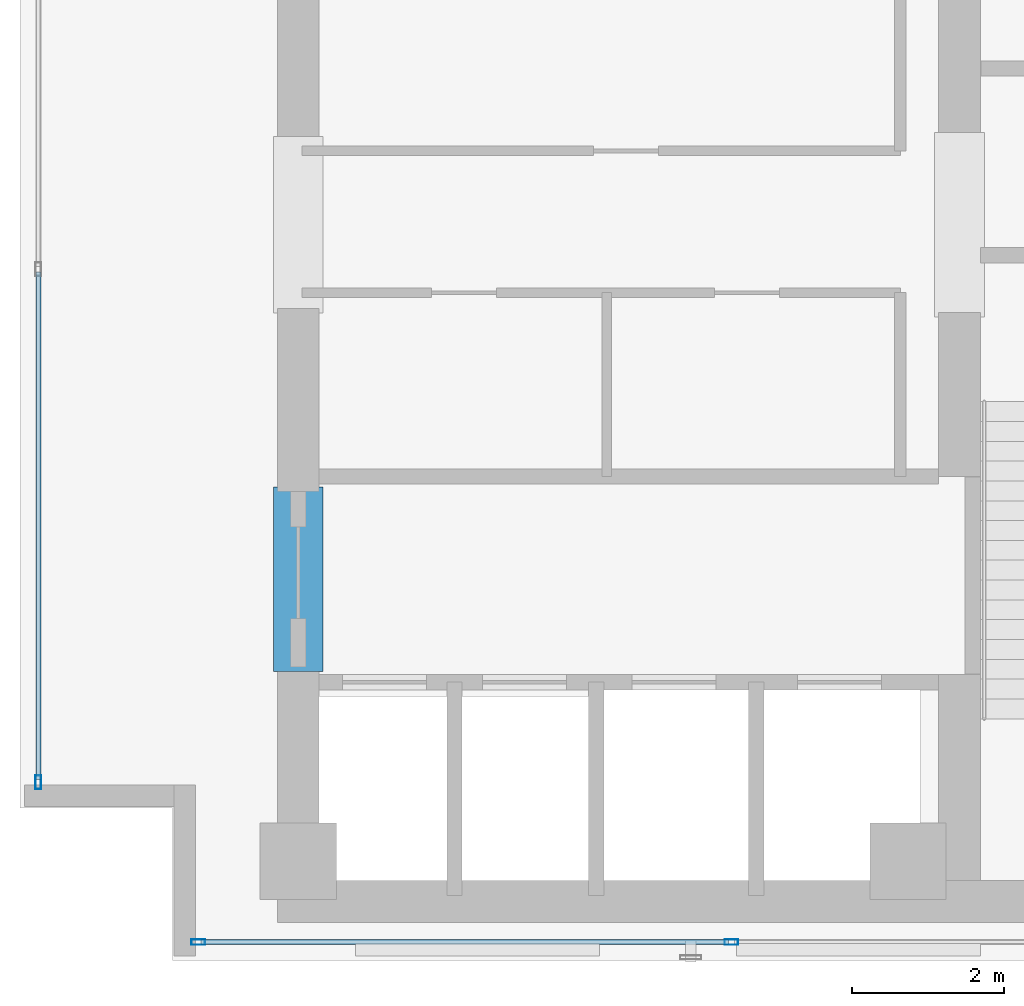
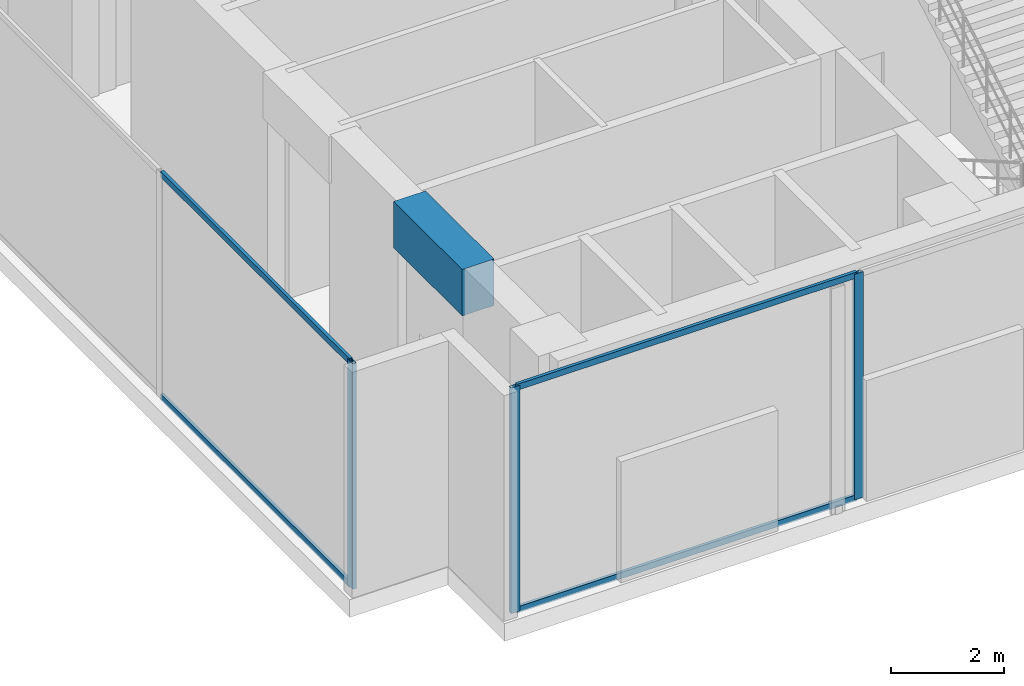
# One storey, part 2 of 31: 7 members, 1 beam, 2 elements without a shape of their own.
"""IFC4 building model written with IfcOpenShell, lengths in metres."""

import ifcopenshell
import ifcopenshell.guid

model = None  # the IFC model being written
_history = None  # IfcOwnerHistory: only IFC2X3 demands one
_inside = {}  # id of a spatial element -> (the spatial element, [elements in it])
_under = {}  # id of a project, library or spatial element -> (it, [spatial elements below it])
_declared = {}  # id of a project -> (the project, [libraries it declares])
_typed = {}  # id of a type object -> (the type object, [elements of that type])
_made_of = {}  # id of a material, layer set ... -> (it, [elements and type objects made of it])


def new_model(schema):
    """Start an empty IFC model of exactly this schema.

    Asked for "IFC4X3", IfcOpenShell would pick the latest addendum, in which some entities
    have other attributes; the version numbers below select the first issue.
    IFC2X3 requires an IfcOwnerHistory on every rooted entity: one is made here for all.
    """
    global model, _history
    if schema == "IFC4X3":
        model = ifcopenshell.file(schema_version=(4, 3, 0, 0))
    else:
        model = ifcopenshell.file(schema=schema)
    _inside.clear()
    _under.clear()
    _declared.clear()
    _typed.clear()
    _made_of.clear()
    _history = None
    if model.schema == "IFC2X3":
        org = make("IfcOrganization", Name="unknown")
        user = make(
            "IfcPersonAndOrganization",
            ThePerson=make("IfcPerson", FamilyName="unknown"),
            TheOrganization=org,
        )
        app = make(
            "IfcApplication",
            ApplicationDeveloper=org,
            Version="unknown",
            ApplicationFullName="unknown",
            ApplicationIdentifier="unknown",
        )
        _history = make(
            "IfcOwnerHistory",
            OwningUser=user,
            OwningApplication=app,
            ChangeAction="ADDED",
            CreationDate=0,
        )
    return model


def make(cls, **values):
    """One entity of the class cls with the attributes given. An attribute that is None is left unset."""
    return model.create_entity(
        cls, **{name: value for name, value in values.items() if value is not None}
    )


def rooted(cls, **values):
    """An entity with a GlobalId (a new one), such as an element, a storey or a relation."""
    return make(cls, GlobalId=ifcopenshell.guid.new(), OwnerHistory=_history, **values)


def si_unit(unit_type, name, prefix=None):
    """IfcSIUnit, for example si_unit("LENGTHUNIT", "METRE", prefix="MILLI")."""
    return make("IfcSIUnit", UnitType=unit_type, Prefix=prefix, Name=name)


def assignment(units):
    """IfcUnitAssignment: the units of a project."""
    return None if units is None else make("IfcUnitAssignment", Units=units)


def point(xyz):
    """IfcCartesianPoint."""
    return None if xyz is None else make("IfcCartesianPoint", Coordinates=xyz)


def direction(xyz):
    """IfcDirection."""
    return None if xyz is None else make("IfcDirection", DirectionRatios=xyz)


def frame(location, z_axis=None, x_axis=None):
    """IfcAxis2Placement3D, a coordinate frame: its origin and axes. An axis left out is left unset."""
    return make(
        "IfcAxis2Placement3D",
        Location=point(location),
        Axis=direction(z_axis),
        RefDirection=direction(x_axis),
    )


def frame_2d(location, x_axis=None):
    """IfcAxis2Placement2D, a coordinate frame in the plane: its origin and x axis."""
    return make(
        "IfcAxis2Placement2D", Location=point(location), RefDirection=direction(x_axis)
    )


def origin():
    """The frame at (0, 0, 0) with its axes left unset."""
    return frame((0.0, 0.0, 0.0))


def origin_with_axes():
    """The frame at (0, 0, 0) with the z axis (0, 0, 1) and the x axis (1, 0, 0) written out."""
    return frame((0.0, 0.0, 0.0), z_axis=(0.0, 0.0, 1.0), x_axis=(1.0, 0.0, 0.0))


def origin_2d():
    """The frame at (0, 0) in the plane with its x axis left unset."""
    return frame_2d((0.0, 0.0))


def place(relative_to, where):
    """IfcLocalPlacement: puts the frame where relative to a parent placement (None: the world)."""
    return make(
        "IfcLocalPlacement", PlacementRelTo=relative_to, RelativePlacement=where
    )


def context(
    kind, dimensions, precision=None, world=None, true_north=None, identifier=None
):
    """IfcGeometricRepresentationContext, for example the 3D "Model" context."""
    return make(
        "IfcGeometricRepresentationContext",
        ContextIdentifier=identifier,
        ContextType=kind,
        CoordinateSpaceDimension=dimensions,
        Precision=precision,
        WorldCoordinateSystem=world,
        TrueNorth=true_north,
    )


def subcontext(parent, identifier, kind, view, scale=None):
    """IfcGeometricRepresentationSubContext, for example "Body" below "Model"."""
    return make(
        "IfcGeometricRepresentationSubContext",
        ContextIdentifier=identifier,
        ContextType=kind,
        ParentContext=parent,
        TargetScale=scale,
        TargetView=view,
    )


def project(units=None, contexts=None):
    """IfcProject with its units and contexts."""
    return rooted(
        "IfcProject",
        Name="project",
        RepresentationContexts=contexts,
        UnitsInContext=assignment(units),
    )


def spatial(cls, under=None, at=None, **own):
    """A site, building, storey or space (cls), placed at a placement, below another one or the project."""
    s = rooted(cls, ObjectPlacement=at, **own)
    if under is not None:
        _under.setdefault(under.id(), (under, []))[1].append(s)
    return s


def profile(cls, at=None, kind="AREA", **sizes):
    """A parametric profile (cls). Its sizes go by their IFC names, for example OverallWidth=200.0."""
    return make(cls, ProfileType=kind, Position=at, **sizes)


def rectangle(**sizes):
    """IfcRectangleProfileDef."""
    return profile("IfcRectangleProfileDef", **sizes)


def hollow_rectangle(**sizes):
    """IfcRectangleHollowProfileDef."""
    return profile("IfcRectangleHollowProfileDef", **sizes)


def extrude(swept, where, along, depth):
    """IfcExtrudedAreaSolid: the profile swept, set in the frame where, extruded along a direction by depth."""
    return make(
        "IfcExtrudedAreaSolid",
        SweptArea=swept,
        Position=where,
        ExtrudedDirection=direction(along),
        Depth=depth,
    )


def shape(context_of_items, identifier, shape_type, items):
    """IfcShapeRepresentation: the items that make up one representation, for example the "Body"."""
    return make(
        "IfcShapeRepresentation",
        ContextOfItems=context_of_items,
        RepresentationIdentifier=identifier,
        RepresentationType=shape_type,
        Items=items,
    )


def source(mapping_origin, context_of_items, identifier, shape_type, items):
    """IfcRepresentationMap: a shape defined once, which mapped items show again and again."""
    return make(
        "IfcRepresentationMap",
        MappingOrigin=mapping_origin,
        MappedRepresentation=shape(context_of_items, identifier, shape_type, items),
    )


def transform(
    local_origin,
    x_axis=None,
    y_axis=None,
    z_axis=None,
    scale=None,
    scale2=None,
    scale3=None,
    uniform=True,
):
    """IfcCartesianTransformationOperator3D, or its non-uniform kind. x_axis, y_axis, z_axis: its Axis1, 2, 3."""
    if uniform:
        return make(
            "IfcCartesianTransformationOperator3D",
            Axis1=direction(x_axis),
            Axis2=direction(y_axis),
            LocalOrigin=point(local_origin),
            Scale=scale,
            Axis3=direction(z_axis),
        )
    return make(
        "IfcCartesianTransformationOperator3DnonUniform",
        Axis1=direction(x_axis),
        Axis2=direction(y_axis),
        LocalOrigin=point(local_origin),
        Scale=scale,
        Axis3=direction(z_axis),
        Scale2=scale2,
        Scale3=scale3,
    )


def mapped(mapping_source, mapping_target):
    """IfcMappedItem: shows the shape of a source again, moved by a transform."""
    return make(
        "IfcMappedItem", MappingSource=mapping_source, MappingTarget=mapping_target
    )


def material(Name=None, Category=None):
    """IfcMaterial."""
    return make("IfcMaterial", Name=Name, Category=Category)


def layer(
    of_material, thickness, ventilated=None, Name=None, Category=None, Priority=None
):
    """IfcMaterialLayer: one layer of a wall or slab, of a material (None: an air gap)."""
    return make(
        "IfcMaterialLayer",
        Material=of_material,
        LayerThickness=thickness,
        IsVentilated=ventilated,
        Name=Name,
        Category=Category,
        Priority=Priority,
    )


def layer_set(layers, Name=None):
    """IfcMaterialLayerSet."""
    return make("IfcMaterialLayerSet", MaterialLayers=layers, LayerSetName=Name)


def material_profile(
    of_material, cross_section, Name=None, Category=None, Priority=None
):
    """IfcMaterialProfile: a cross section and its material."""
    return make(
        "IfcMaterialProfile",
        Name=Name,
        Material=of_material,
        Profile=cross_section,
        Priority=Priority,
        Category=Category,
    )


def profile_set(profiles, Name=None, composite=None):
    """IfcMaterialProfileSet."""
    return make(
        "IfcMaterialProfileSet",
        Name=Name,
        MaterialProfiles=profiles,
        CompositeProfile=composite,
    )


def made_of(thing, what):
    """Note that an element or type object is made of a material, layer set ...; save() writes the relation."""
    if what is not None:
        _made_of.setdefault(what.id(), (what, []))[1].append(thing)
    return thing


def type_object(cls, material=None, **own):
    """A type object (cls), such as IfcWallType, which elements share."""
    return made_of(rooted(cls, **own), material)


def element(
    cls,
    number,
    at=None,
    inside=None,
    cuts=None,
    type_object=None,
    material=None,
    context=None,
    identifier="Body",
    shape_type=None,
    held_by="IfcProductDefinitionShape",
    body=None,
    shapes=None,
    **own,
):
    """One element of the class cls, such as IfcWall. Its Tag is "e" and its number.

    at: its placement. inside: the storey or other place that contains it. cuts: it is an
    opening in that element (IfcRelVoidsElement). A single representation is given by context,
    identifier, shape_type and body (its items); several are given by shapes. held_by: the class
    of the entity that holds the representations. save() writes the other relations.
    """
    e = rooted(cls, Tag="e%d" % number, ObjectPlacement=at, **own)
    if body is not None:
        shapes = [shape(context, identifier, shape_type, body)]
    if shapes is not None:
        e.Representation = make(held_by, Representations=shapes)
    if inside is not None:
        _inside.setdefault(inside.id(), (inside, []))[1].append(e)
    if cuts is not None:
        rooted(
            "IfcRelVoidsElement", RelatingBuildingElement=cuts, RelatedOpeningElement=e
        )
    if type_object is not None:
        _typed.setdefault(type_object.id(), (type_object, []))[1].append(e)
    return made_of(e, material)


def aggregate(whole, parts):
    """IfcRelAggregates: a whole, such as a stair, and the parts it consists of."""
    return rooted("IfcRelAggregates", RelatingObject=whole, RelatedObjects=parts)


def save(model, path):
    """Write the relations noted so far, then the file.

    IfcRelAggregates (storeys below a building ...), IfcRelContainedInSpatialStructure (elements
    in a storey), IfcRelDefinesByType, IfcRelAssociatesMaterial and IfcRelDeclares: one each for
    every whole, place, type object, material and project.
    """
    for whole, parts in _under.values():
        aggregate(whole, parts)
    for where, things in _inside.values():
        rooted(
            "IfcRelContainedInSpatialStructure",
            RelatedElements=things,
            RelatingStructure=where,
        )
    for kind, things in _typed.values():
        rooted("IfcRelDefinesByType", RelatedObjects=things, RelatingType=kind)
    for what, things in _made_of.values():
        rooted("IfcRelAssociatesMaterial", RelatedObjects=things, RelatingMaterial=what)
    for by, libraries in _declared.values():
        rooted("IfcRelDeclares", RelatingContext=by, RelatedDefinitions=libraries)
    model.write(path)


model = new_model("IFC4")

# Units and contexts
model_context = context("Model", 3, precision=1e-05, world=origin(), true_north=direction((0.0, 1.0)))
body_context = subcontext(model_context, "Body", "Model", "MODEL_VIEW")
ifc_project = project(units=[si_unit("LENGTHUNIT", "METRE"), si_unit("AREAUNIT", "SQUARE_METRE"), si_unit("VOLUMEUNIT", "CUBIC_METRE"), si_unit("PLANEANGLEUNIT", "RADIAN"), si_unit("MASSUNIT", "GRAM", prefix="KILO")], contexts=[model_context])

# Site, building, storey
site_placement = place(None, origin())
site = spatial("IfcSite", under=ifc_project, at=site_placement, CompositionType="ELEMENT")
building_placement = place(site_placement, origin())
building = spatial("IfcBuilding", under=site, at=building_placement, Name="Kolvaren Waterfront Exchange", CompositionType="ELEMENT")
storey_placement = place(building_placement, frame((0.0, 0.0, 257.699951171875)))
storey = spatial("IfcBuildingStorey", under=building, at=storey_placement, Name="L66", CompositionType="ELEMENT", Elevation=257.699951171875)

# Beam
ifc_material_1 = material(Name="Concrete C60/75", Category="concrete")
ifc_material_profile_1 = material_profile(ifc_material_1, rectangle(XDim=0.64990234375, YDim=1.0, at=origin_2d()), Name="RC-CB-1000x650")
ifc_profile_set_1 = profile_set([ifc_material_profile_1], Name="Concrete C60/75")
beam_type = type_object("IfcBeamType", Name="STR-CB-1000", PredefinedType="SPANDREL", material=ifc_profile_set_1)
beam_placement = place(storey_placement, frame((7.449951171875, 7.389892578125, 4.360107421875), z_axis=(0.0, 1.0, 0.0), x_axis=(-1.0, 0.0, 0.0)))
element("IfcBeam", 1, at=beam_placement, inside=storey, type_object=beam_type, Name="L66 core coupling beam 3", PredefinedType="SPANDREL", context=body_context, shape_type="SweptSolid", body=[
    extrude(rectangle(XDim=0.64990234375, YDim=1.0, at=origin_2d()), origin(), (0.0, 0.0, 1.0), 2.420166015625),
])

# Curtain wall, members
ifc_material_2 = material(Name="Anodised dark bronze spandrel aluminium", Category="aluminium")
ifc_layer = layer(ifc_material_2, 0.219970703125, Name="Anodised dark bronze spandrel aluminium")
ifc_layer_set = layer_set([ifc_layer], Name="Anodised dark bronze spandrel aluminium")
curtain_wall_type = type_object("IfcCurtainWallType", Name="ARC-CW-SYS6", PredefinedType="USERDEFINED", material=ifc_layer_set)
curtain_wall_1_placement = place(storey_placement, origin())
curtain_wall_1 = element("IfcCurtainWall", 2, at=curtain_wall_1_placement, inside=storey, type_object=curtain_wall_type, Name="L66 stick curtain wall CW6 (CW-L66-S)", ObjectType="STICK CURTAIN WALL", PredefinedType="USERDEFINED")
ifc_material_3 = material(Name="Anodised bronze aluminium 6063-T6", Category="aluminium")
ifc_material_profile_2 = material_profile(ifc_material_3, hollow_rectangle(XDim=0.074951171875, YDim=0.179931640625, WallThickness=0.00439453125, at=origin_2d()), Name="ALU-MUL-180x75x4.5")
ifc_profile_set_2 = profile_set([ifc_material_profile_2], Name="Anodised bronze aluminium 6063-T6")
member_type_1 = type_object("IfcMemberType", Name="ARC-CWM-180", PredefinedType="MULLION", material=ifc_profile_set_2)
shared_shape_1 = source(origin_with_axes(), body_context, "Body", "SweptSolid", [
    extrude(hollow_rectangle(XDim=0.074951171875, YDim=0.179931640625, WallThickness=0.00439453125, at=origin_2d()), origin(), (0.0, 0.0, 1.0), 4.860107421875),
])
member_1_placement = place(storey_placement, frame((6.137451171875, 3.840087890625, 0.0), z_axis=(0.0, 0.0, 1.0), x_axis=(0.0, 1.0, 0.0)))
member_1 = element("IfcMember", 3, at=member_1_placement, type_object=member_type_1, Name="CW6 mullion 1", PredefinedType="MULLION", context=body_context, shape_type="MappedRepresentation", body=[
    mapped(shared_shape_1, transform((0.0, 0.0, 0.0), x_axis=(1.0, 0.0, 0.0), y_axis=(0.0, 1.0, 0.0), z_axis=(0.0, 0.0, 1.0), scale=1.0)),
])
member_2_placement = place(storey_placement, frame((13.13330078125, 3.840087890625, 0.0), z_axis=(0.0, 0.0, 1.0), x_axis=(0.0, 1.0, 0.0)))
member_2 = element("IfcMember", 4, at=member_2_placement, type_object=member_type_1, Name="CW6 mullion 2", PredefinedType="MULLION", context=body_context, shape_type="MappedRepresentation", body=[
    mapped(shared_shape_1, transform((0.0, 0.0, 0.0), x_axis=(1.0, 0.0, 0.0), y_axis=(0.0, 1.0, 0.0), z_axis=(0.0, 0.0, 1.0), scale=1.0)),
])

curtain_wall_2_placement = place(storey_placement, origin())
curtain_wall_2 = element("IfcCurtainWall", 5, at=curtain_wall_2_placement, inside=storey, type_object=curtain_wall_type, Name="L66 stick curtain wall CW6 (CW-L66-W)", ObjectType="STICK CURTAIN WALL", PredefinedType="USERDEFINED")
member_3_placement = place(storey_placement, frame((4.0400390625, 5.9375, 0.0), z_axis=(0.0, 0.0, 1.0), x_axis=(-1.0, 0.0, 0.0)))
member_3 = element("IfcMember", 6, at=member_3_placement, type_object=member_type_1, Name="CW6 mullion 1", PredefinedType="MULLION", context=body_context, shape_type="MappedRepresentation", body=[
    mapped(shared_shape_1, transform((0.0, 0.0, 0.0), x_axis=(1.0, 0.0, 0.0), y_axis=(0.0, 1.0, 0.0), z_axis=(0.0, 0.0, 1.0), scale=1.0)),
])
ifc_material_profile_3 = material_profile(ifc_material_3, hollow_rectangle(XDim=0.06494140625, YDim=0.1298828125, WallThickness=0.00390625, at=origin_2d()), Name="ALU-TRN-130x65x4")
ifc_profile_set_3 = profile_set([ifc_material_profile_3], Name="Anodised bronze aluminium 6063-T6")
member_type_2 = type_object("IfcMemberType", Name="ARC-CWT-130", PredefinedType="USERDEFINED", material=ifc_profile_set_3)
shared_shape_2 = source(origin_with_axes(), body_context, "Body", "SweptSolid", [
    extrude(hollow_rectangle(XDim=0.06494140625, YDim=0.1298828125, WallThickness=0.00390625, at=origin_2d()), origin(), (0.0, 0.0, 1.0), 6.654052734375),
])
member_4_placement = place(storey_placement, frame((4.0400390625, 5.97509765625, 0.032470703125), z_axis=(0.0, 1.0, 0.0), x_axis=(-1.0, 0.0, 0.0)))
member_4 = element("IfcMember", 7, at=member_4_placement, type_object=member_type_2, Name="CW6 transom 1.1", ObjectType="TRANSOM", PredefinedType="USERDEFINED", context=body_context, shape_type="MappedRepresentation", body=[
    mapped(shared_shape_2, transform((0.0, 0.0, 0.0), x_axis=(1.0, 0.0, 0.0), y_axis=(0.0, 1.0, 0.0), z_axis=(0.0, 0.0, 1.0), scale=1.0)),
])
member_5_placement = place(storey_placement, frame((4.0400390625, 5.97509765625, 4.82763671875), z_axis=(0.0, 1.0, 0.0), x_axis=(-1.0, 0.0, 0.0)))
member_5 = element("IfcMember", 8, at=member_5_placement, type_object=member_type_2, Name="CW6 transom 1.2", ObjectType="TRANSOM", PredefinedType="USERDEFINED", context=body_context, shape_type="MappedRepresentation", body=[
    mapped(shared_shape_2, transform((0.0, 0.0, 0.0), x_axis=(1.0, 0.0, 0.0), y_axis=(0.0, 1.0, 0.0), z_axis=(0.0, 0.0, 1.0), scale=1.0)),
])
aggregate(curtain_wall_2, [member_3, member_4, member_5])

# Member
shared_shape_3 = source(origin_with_axes(), body_context, "Body", "SweptSolid", [
    extrude(hollow_rectangle(XDim=0.06494140625, YDim=0.1298828125, WallThickness=0.00390625, at=origin_2d()), origin(), (0.0, 0.0, 1.0), 6.9208984375),
])
member_6_placement = place(storey_placement, frame((6.175048828125, 3.840087890625, 0.032470703125), z_axis=(1.0, 0.0, 0.0), x_axis=(0.0, 1.0, 0.0)))
member_6 = element("IfcMember", 9, at=member_6_placement, type_object=member_type_2, Name="CW6 transom 1.1", ObjectType="TRANSOM", PredefinedType="USERDEFINED", context=body_context, shape_type="MappedRepresentation", body=[
    mapped(shared_shape_3, transform((0.0, 0.0, 0.0), x_axis=(1.0, 0.0, 0.0), y_axis=(0.0, 1.0, 0.0), z_axis=(0.0, 0.0, 1.0), scale=1.0)),
])

member_7_placement = place(storey_placement, frame((6.175048828125, 3.840087890625, 4.82763671875), z_axis=(1.0, 0.0, 0.0), x_axis=(0.0, 1.0, 0.0)))
member_7 = element("IfcMember", 10, at=member_7_placement, type_object=member_type_2, Name="CW6 transom 1.2", ObjectType="TRANSOM", PredefinedType="USERDEFINED", context=body_context, shape_type="MappedRepresentation", body=[
    mapped(shared_shape_3, transform((0.0, 0.0, 0.0), x_axis=(1.0, 0.0, 0.0), y_axis=(0.0, 1.0, 0.0), z_axis=(0.0, 0.0, 1.0), scale=1.0)),
])

aggregate(curtain_wall_1, [member_1, member_2, member_6, member_7])

save(model, "model.ifc")
